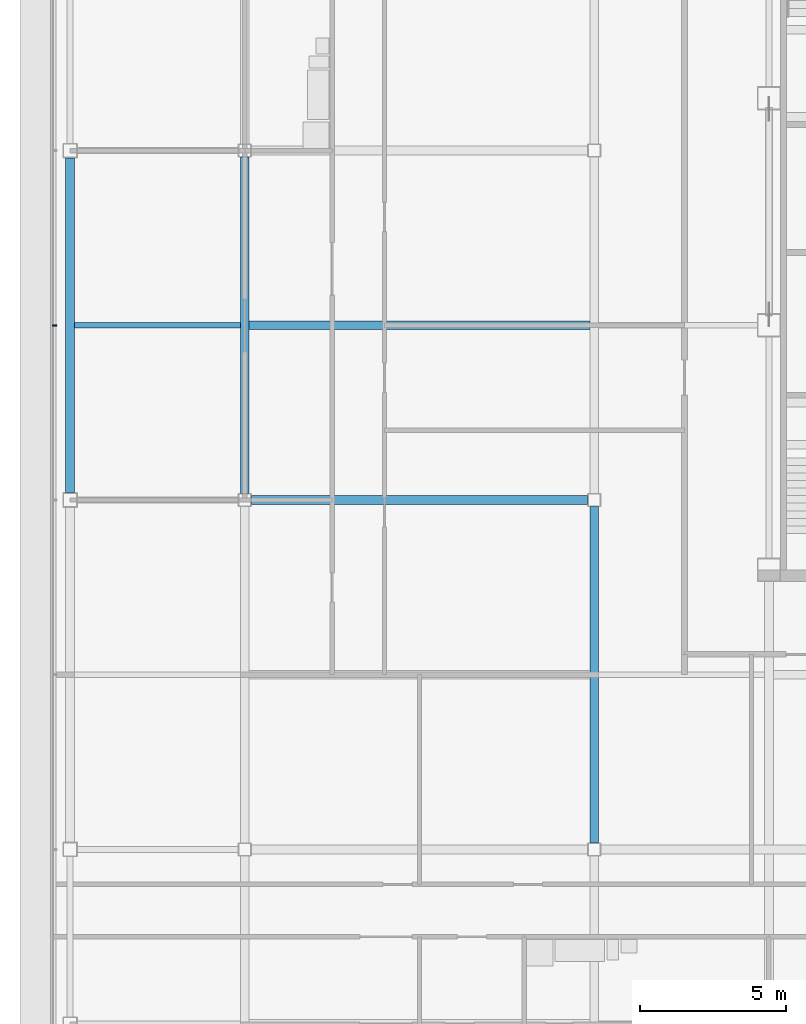
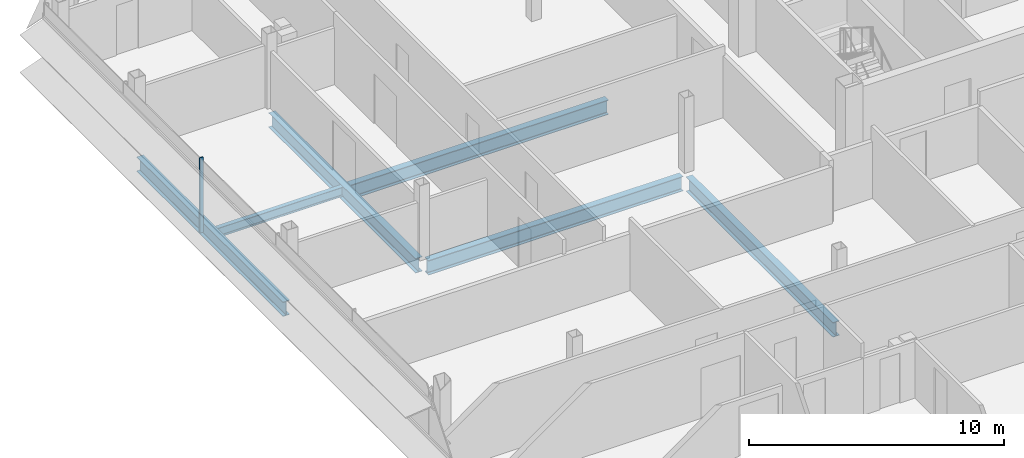
# One storey, part 8 of 27: 6 beams, 1 member, 1 element without a shape of its own.
"""IFC4 building model written with IfcOpenShell, lengths in metres."""

from ifc_helpers import new_model, si_unit, direction, frame, origin, origin_2d, place, context, subcontext, project, spatial, rectangle, i_section, extrude, material, material_profile, profile_set, type_object, element, aggregate, save


model = new_model("IFC4")

# Units and contexts
model_context = context("Model", 3, precision=1e-05, world=origin(), true_north=direction((0.0, 1.0)))
body_context = subcontext(model_context, "Body", "Model", "MODEL_VIEW")
ifc_project = project(units=[si_unit("LENGTHUNIT", "METRE"), si_unit("AREAUNIT", "SQUARE_METRE"), si_unit("VOLUMEUNIT", "CUBIC_METRE"), si_unit("PLANEANGLEUNIT", "RADIAN"), si_unit("MASSUNIT", "GRAM", prefix="KILO")], contexts=[model_context])

# Site, building, storey
site_placement = place(None, origin())
site = spatial("IfcSite", under=ifc_project, at=site_placement, CompositionType="ELEMENT")
building_placement = place(site_placement, origin())
building = spatial("IfcBuilding", under=site, at=building_placement, Name="Sorahane Residences", CompositionType="ELEMENT")
storey_placement = place(building_placement, frame((0.0, 0.0, 316.0)))
storey = spatial("IfcBuildingStorey", under=building, at=storey_placement, Name="L75", CompositionType="ELEMENT", Elevation=316.0)

# Curtain wall, member
ifc_material_1 = material(Name="Dark low-e glass and black anodised aluminium", Category="aluminium")
curtain_wall_type = type_object("IfcCurtainWallType", Name="Curtain wall CW-1 Typical unitised wall", PredefinedType="NOTDEFINED", material=ifc_material_1)
curtain_wall_placement = place(storey_placement, origin())
curtain_wall = element("IfcCurtainWall", 1, at=curtain_wall_placement, inside=storey, type_object=curtain_wall_type, Name="CW-1 curtain wall L75 W1", PredefinedType="NOTDEFINED")
ifc_material_2 = material(Name="Black anodised aluminium", Category="aluminium")
ifc_material_profile_1 = material_profile(ifc_material_2, rectangle(XDim=0.159912109375, YDim=0.050048828125, at=origin_2d()), Name="Curtain wall mullion CW-1 black anodised aluminium 50x160")
ifc_profile_set_1 = profile_set([ifc_material_profile_1], Name="Black anodised aluminium")
member_type = type_object("IfcMemberType", Name="Curtain wall mullion CW-1 black anodised aluminium 50x160", PredefinedType="MULLION", material=ifc_profile_set_1)
member_placement = place(storey_placement, frame((-18.5400390625, 30.0, -0.179931640625), z_axis=(0.0, 0.0, 1.0), x_axis=(-1.0, 0.0, 0.0)))
member = element("IfcMember", 2, at=member_placement, type_object=member_type, Name="CW-1 mullion L75 W1.3", PredefinedType="MULLION", context=body_context, shape_type="SweptSolid", body=[
    extrude(rectangle(XDim=0.159912109375, YDim=0.050048828125, at=origin_2d()), origin(), (0.0, 0.0, 1.0), 3.599853515625),
])
aggregate(curtain_wall, [member])

# Beams
ifc_material_3 = material(Name="Steel Q355B", Category="steel")
ifc_material_profile_2 = material_profile(ifc_material_3, i_section(OverallWidth=0.199951171875, OverallDepth=0.449951171875, WebThickness=0.009033203125, FlangeThickness=0.013916015625, FilletRadius=0.02001953125, at=origin_2d()), Name="HN 450x200x9x14")
ifc_profile_set_2 = profile_set([ifc_material_profile_2], Name="Steel Q355B")
beam_type_1 = type_object("IfcBeamType", Name="Steel floor beam HN 450x200x9x14 Q355B", PredefinedType="BEAM", material=ifc_profile_set_2)
beam_1_placement = place(storey_placement, frame((-17.85009765625, 30.0, -0.405029296875), z_axis=(1.0, 0.0, 0.0), x_axis=(0.0, 1.0, 0.0)))
element("IfcBeam", 3, at=beam_1_placement, inside=storey, type_object=beam_type_1, Name="Beam L75 083", PredefinedType="BEAM", context=body_context, shape_type="SweptSolid", body=[
    extrude(i_section(OverallWidth=0.199951171875, OverallDepth=0.449951171875, WebThickness=0.009033203125, FlangeThickness=0.013916015625, FilletRadius=0.02001953125, at=origin_2d()), origin(), (0.0, 0.0, 1.0), 5.7001953125),
])
ifc_material_4 = material(Name="Steel Q355B", Category="steel")
ifc_material_profile_3 = material_profile(ifc_material_4, i_section(OverallWidth=0.300048828125, OverallDepth=0.699951171875, WebThickness=0.012939453125, FlangeThickness=0.02392578125, FilletRadius=0.028076171875, at=origin_2d()), Name="HN 700x300x13x24")
ifc_profile_set_3 = profile_set([ifc_material_profile_3], Name="Steel Q355B")
beam_type_2 = type_object("IfcBeamType", Name="Steel floor beam HN 700x300x13x24 Q355B", PredefinedType="BEAM", material=ifc_profile_set_3)
beam_2_placement = place(storey_placement, frame((-11.77490234375, 24.0, -0.530029296875), z_axis=(1.0, 0.0, 0.0), x_axis=(0.0, 1.0, 0.0)))
element("IfcBeam", 4, at=beam_2_placement, inside=storey, type_object=beam_type_2, Name="Beam L75 012", PredefinedType="BEAM", context=body_context, shape_type="SweptSolid", body=[
    extrude(i_section(OverallWidth=0.300048828125, OverallDepth=0.699951171875, WebThickness=0.012939453125, FlangeThickness=0.02392578125, FilletRadius=0.028076171875, at=origin_2d()), origin(), (0.0, 0.0, 1.0), 11.5498046875),
])
beam_3_placement = place(storey_placement, frame((-18.0, 24.25, -0.530029296875), z_axis=(0.0, 1.0, 0.0), x_axis=(-1.0, 0.0, 0.0)))
element("IfcBeam", 5, at=beam_3_placement, inside=storey, type_object=beam_type_2, Name="Beam L75 022", PredefinedType="BEAM", context=body_context, shape_type="SweptSolid", body=[
    extrude(i_section(OverallWidth=0.300048828125, OverallDepth=0.699951171875, WebThickness=0.012939453125, FlangeThickness=0.02392578125, FilletRadius=0.028076171875, at=origin_2d()), origin(), (0.0, 0.0, 1.0), 11.5),
])
for number, where, z_axis, x_axis, name in (
    (6, (-12.0, 24.22509765625, -0.530029296875), (0.0, 1.0, 0.0), (-1.0, 0.0, 0.0), "Beam L75 026"),
    (7, (0.0, 12.22509765625, -0.530029296875), (0.0, 1.0, 0.0), (-1.0, 0.0, 0.0), "Beam L75 029"),
):
    element("IfcBeam", number, at=place(storey_placement, frame(where, z_axis=z_axis, x_axis=x_axis)), inside=storey, type_object=beam_type_2, Name=name, PredefinedType="BEAM", context=body_context, shape_type="SweptSolid", body=[
        extrude(i_section(OverallWidth=0.300048828125, OverallDepth=0.699951171875, WebThickness=0.012939453125, FlangeThickness=0.02392578125, FilletRadius=0.028076171875, at=origin_2d()), origin(), (0.0, 0.0, 1.0), 11.5498046875),
    ])
beam_4_placement = place(storey_placement, frame((-11.85009765625, 30.0, -0.530029296875), z_axis=(1.0, 0.0, 0.0), x_axis=(0.0, 1.0, 0.0)))
element("IfcBeam", 8, at=beam_4_placement, inside=storey, type_object=beam_type_2, Name="Beam L75 084", PredefinedType="BEAM", context=body_context, shape_type="SweptSolid", body=[
    extrude(i_section(OverallWidth=0.300048828125, OverallDepth=0.699951171875, WebThickness=0.012939453125, FlangeThickness=0.02392578125, FilletRadius=0.028076171875, at=origin_2d()), origin(), (0.0, 0.0, 1.0), 11.7001953125),
])

save(model, "model.ifc")
